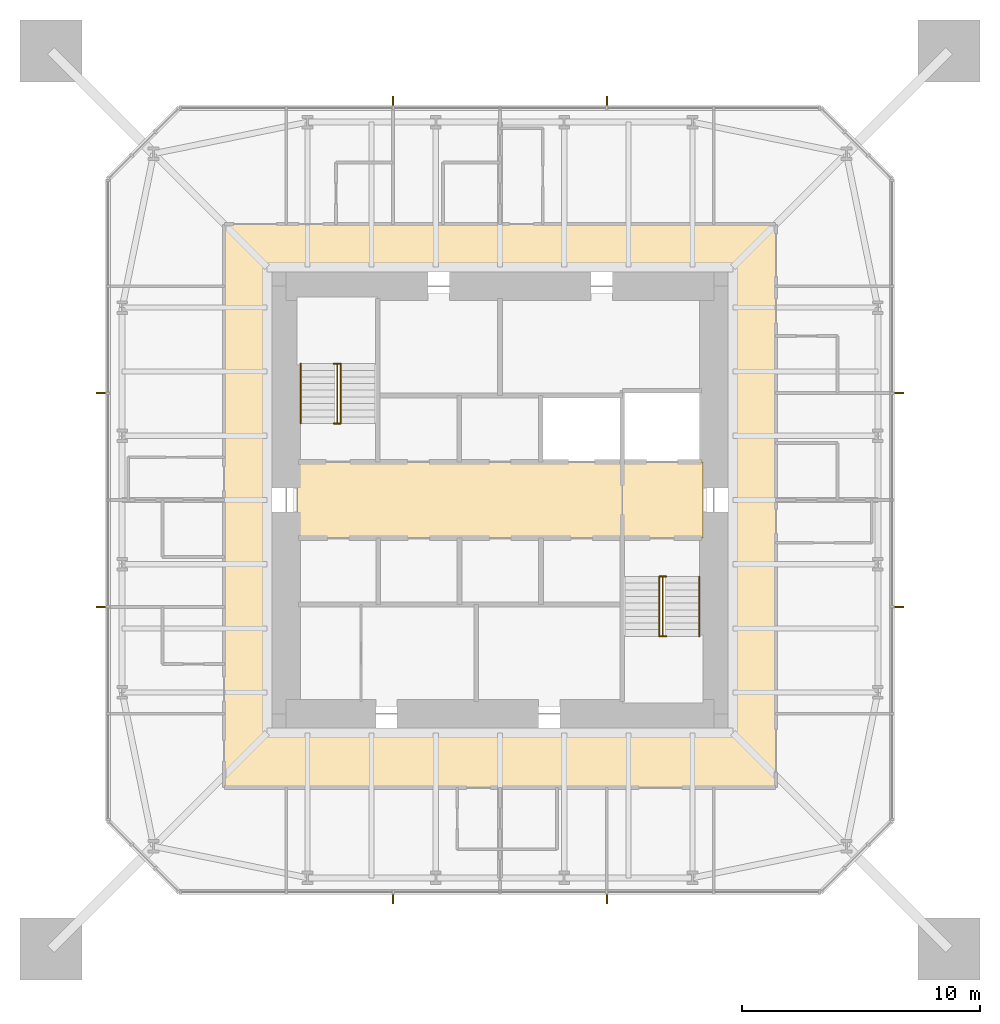
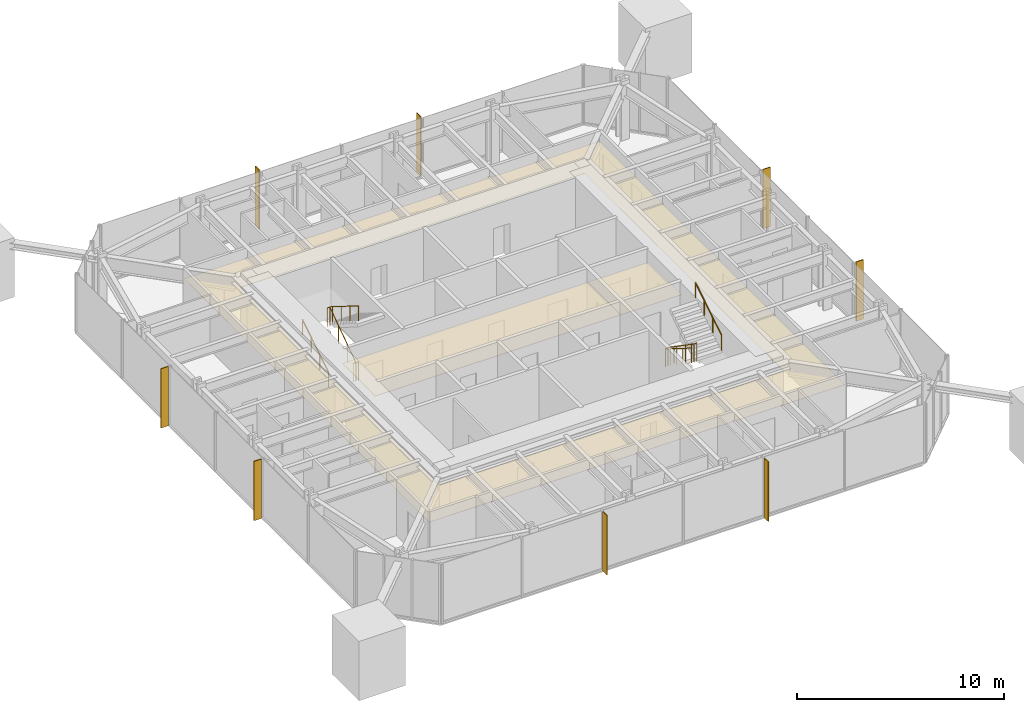
# One storey, part 9 of 9: 8 shading devices, 6 railings, 3 coverings.
"""IFC4 building model written with IfcOpenShell, lengths in metres."""

from ifc_helpers import new_model, si_unit, direction, frame, origin, origin_2d, place, context, subcontext, project, spatial, polyline, rectangle, circle, outline, extrude, material, layer, layer_set, constituent, constituent_set, type_object, element, save


model = new_model("IFC4")

# Units and contexts
model_context = context("Model", 3, precision=1e-05, world=origin(), true_north=direction((0.0, 1.0)))
body_context = subcontext(model_context, "Body", "Model", "MODEL_VIEW")
ifc_project = project(units=[si_unit("LENGTHUNIT", "METRE"), si_unit("AREAUNIT", "SQUARE_METRE"), si_unit("VOLUMEUNIT", "CUBIC_METRE"), si_unit("PLANEANGLEUNIT", "RADIAN"), si_unit("MASSUNIT", "GRAM", prefix="KILO")], contexts=[model_context])

# Site, building, storey
site_placement = place(None, origin())
site = spatial("IfcSite", under=ifc_project, at=site_placement, CompositionType="ELEMENT")
building_placement = place(site_placement, origin())
building = spatial("IfcBuilding", under=site, at=building_placement, Name="Iwan Alto Co-Living Towers", CompositionType="ELEMENT")
storey_placement = place(building_placement, frame((0.0, 0.0, 232.5)))
storey = spatial("IfcBuildingStorey", under=building, at=storey_placement, Name="L63", CompositionType="ELEMENT", Elevation=232.5)

# Coverings
ifc_material_1 = material(Name="Mineral fibre acoustic tiles on steel grid", Category="steel")
ifc_layer_1 = layer(ifc_material_1, 0.02001953125)
ifc_layer_set_1 = layer_set([ifc_layer_1], Name="ACOUSTIC TILE CEILING 20")
covering_type_1 = type_object("IfcCoveringType", Name="ACOUSTIC TILE CEILING 20", PredefinedType="CEILING", material=ifc_layer_set_1)
covering_1_placement = place(storey_placement, frame((0.0, 0.0, 2.60009765625)))
element("IfcCovering", 1, at=covering_1_placement, inside=storey, type_object=covering_type_1, Name="Ceiling Lift lobby L63", PredefinedType="CEILING", context=body_context, shape_type="SweptSolid", body=[
    extrude(outline(polyline([(-8.550048828125, -1.60009765625), (-8.550048828125, 1.60009765625), (5.14990234375, 1.60009765625), (5.14990234375, -1.60009765625), (-8.550048828125, -1.60009765625)])), origin(), (0.0, 0.0, 1.0), 0.02001953125),
])
covering_2_placement = place(storey_placement, frame((0.0, 0.0, 2.60009765625)))
element("IfcCovering", 2, at=covering_2_placement, inside=storey, type_object=covering_type_1, Name="Ceiling Firefighting lobby L63", PredefinedType="CEILING", context=body_context, shape_type="SweptSolid", body=[
    extrude(outline(polyline([(5.14990234375, -1.60009765625), (5.14990234375, 1.60009765625), (8.550048828125, 1.60009765625), (8.550048828125, -1.60009765625), (5.14990234375, -1.60009765625)])), origin(), (0.0, 0.0, 1.0), 0.02001953125),
])

# Shading devices
ifc_material_2 = material(Name="Aluminium 6063-T6 bronze anodised", Category="aluminium")
ifc_layer_2 = layer(ifc_material_2, 0.050048828125)
ifc_layer_set_2 = layer_set([ifc_layer_2], Name="BRONZE FIN 50X400")
shading_device_type = type_object("IfcShadingDeviceType", Name="BRONZE FIN 50X400", PredefinedType="USERDEFINED", material=ifc_layer_set_2)
for number, where, z_axis, x_axis, name in (
    (3, (-4.5, -16.800048828125, 0.0), (0.0, 0.0, 1.0), (1.0, 0.0, 0.0), "Bronze fin L63"),
    (4, (4.5, -16.800048828125, 0.0), (0.0, 0.0, 1.0), (1.0, 0.0, 0.0), "Bronze fin L63"),
    (5, (16.800048828125, -4.5, 0.0), (0.0, 0.0, 1.0), (0.0, 1.0, 0.0), "Bronze fin L63"),
    (6, (16.800048828125, 4.5, 0.0), (0.0, 0.0, 1.0), (0.0, 1.0, 0.0), "Bronze fin L63"),
    (7, (4.5, 16.800048828125, 0.0), (0.0, 0.0, 1.0), (-1.0, 0.0, 0.0), "Bronze fin L63"),
    (8, (-4.5, 16.800048828125, 0.0), (0.0, 0.0, 1.0), (-1.0, 0.0, 0.0), "Bronze fin L63"),
    (9, (-16.800048828125, 4.5, 0.0), (0.0, 0.0, 1.0), (0.0, -1.0, 0.0), "Bronze fin L63"),
    (10, (-16.800048828125, -4.5, 0.0), (0.0, 0.0, 1.0), (0.0, -1.0, 0.0), "Bronze fin L63"),
):
    element("IfcShadingDevice", number, at=place(storey_placement, frame(where, z_axis=z_axis, x_axis=x_axis)), inside=storey, type_object=shading_device_type, Name=name, ObjectType="LOUVER", PredefinedType="USERDEFINED", context=body_context, shape_type="SweptSolid", body=[
        extrude(rectangle(XDim=0.050048828125, YDim=0.39990234375, at=origin_2d()), origin(), (0.0, 0.0, 1.0), 3.5),
    ])

# Railings
ifc_material_3 = material(Name="Steel ASTM A500 Gr C", Category="steel")
ifc_constituent_1 = constituent(ifc_material_3, Name="Rails and posts", Category="Framing")
ifc_material_4 = material(Name="Steel ASTM A36", Category="steel")
ifc_constituent_2 = constituent(ifc_material_4, Name="Bar infill", Category="Infill")
ifc_constituent_set = constituent_set(constituents=[ifc_constituent_1, ifc_constituent_2], Name="STAIR GUARD 1100")
railing_type_1 = type_object("IfcRailingType", Name="STAIR GUARD 1100", PredefinedType="GUARDRAIL", material=ifc_constituent_set)
railing_1_placement = place(storey_placement, frame((-6.85009765625, 3.219970703125, 0.0)))
element("IfcRailing", 11, at=railing_1_placement, inside=storey, type_object=railing_type_1, Name="Stair T1-S1 well guard L63", PredefinedType="GUARDRAIL", context=body_context, shape_type="SweptSolid", body=[
    extrude(circle(Radius=0.02392578125, at=origin_2d()), frame((0.0, 0.0, 1.076171875), z_axis=(0.0, 0.821372036852, 0.570392826987), x_axis=(-1.0, 0.0, 0.0)), (0.0, 0.0, 1.0), 3.068115234375),
    extrude(circle(Radius=0.02392578125, at=origin_2d()), frame((-0.14990234375, 0.0, 1.076171875), z_axis=(1.0, 0.0, 0.0), x_axis=(0.0, 1.0, 0.0)), (0.0, 0.0, 1.0), 0.300048828125),
    extrude(circle(Radius=0.02392578125, at=origin_2d()), frame((-0.14990234375, 2.52001953125, 2.826171875), z_axis=(1.0, 0.0, 0.0), x_axis=(0.0, 1.0, 0.0)), (0.0, 0.0, 1.0), 0.300048828125),
    extrude(circle(Radius=0.02099609375, at=origin_2d()), origin(), (0.0, 0.0, 1.0), 1.052001953125),
    extrude(circle(Radius=0.02099609375, at=origin_2d()), frame((0.0, 0.840087890625, 0.583251953125)), (0.0, 0.0, 1.0), 1.052001953125),
    extrude(circle(Radius=0.02099609375, at=origin_2d()), frame((0.0, 1.679931640625, 1.166748046875)), (0.0, 0.0, 1.0), 1.052001953125),
    extrude(circle(Radius=0.02099609375, at=origin_2d()), frame((0.0, 2.52001953125, 1.75)), (0.0, 0.0, 1.0), 1.052001953125),
    extrude(circle(Radius=0.02099609375, at=origin_2d()), frame((-0.14990234375, 0.0, 0.0)), (0.0, 0.0, 1.0), 1.052001953125),
    extrude(circle(Radius=0.02099609375, at=origin_2d()), frame((0.150146484375, 0.0, 0.0)), (0.0, 0.0, 1.0), 1.052001953125),
    extrude(circle(Radius=0.02099609375, at=origin_2d()), frame((-0.14990234375, 2.52001953125, 1.75)), (0.0, 0.0, 1.0), 1.052001953125),
    extrude(circle(Radius=0.02099609375, at=origin_2d()), frame((0.150146484375, 2.52001953125, 1.75)), (0.0, 0.0, 1.0), 1.052001953125),
])
railing_2_placement = place(storey_placement, frame((6.85009765625, -3.219970703125, 0.0)))
element("IfcRailing", 12, at=railing_2_placement, inside=storey, type_object=railing_type_1, Name="Stair T1-S2 well guard L63", PredefinedType="GUARDRAIL", context=body_context, shape_type="SweptSolid", body=[
    extrude(circle(Radius=0.02392578125, at=origin_2d()), frame((0.0, 0.0, 1.076171875), z_axis=(0.0, -0.821372036852, 0.570392826987), x_axis=(1.0, 0.0, 0.0)), (0.0, 0.0, 1.0), 3.068115234375),
    extrude(circle(Radius=0.02392578125, at=origin_2d()), frame((-0.150146484375, 0.0, 1.076171875), z_axis=(1.0, 0.0, 0.0), x_axis=(0.0, 1.0, 0.0)), (0.0, 0.0, 1.0), 0.300048828125),
    extrude(circle(Radius=0.02392578125, at=origin_2d()), frame((-0.150146484375, -2.52001953125, 2.826171875), z_axis=(1.0, 0.0, 0.0), x_axis=(0.0, 1.0, 0.0)), (0.0, 0.0, 1.0), 0.300048828125),
    extrude(circle(Radius=0.02099609375, at=origin_2d()), origin(), (0.0, 0.0, 1.0), 1.052001953125),
    extrude(circle(Radius=0.02099609375, at=origin_2d()), frame((0.0, -0.840087890625, 0.583251953125)), (0.0, 0.0, 1.0), 1.052001953125),
    extrude(circle(Radius=0.02099609375, at=origin_2d()), frame((0.0, -1.679931640625, 1.166748046875)), (0.0, 0.0, 1.0), 1.052001953125),
    extrude(circle(Radius=0.02099609375, at=origin_2d()), frame((0.0, -2.52001953125, 1.75)), (0.0, 0.0, 1.0), 1.052001953125),
    extrude(circle(Radius=0.02099609375, at=origin_2d()), frame((-0.150146484375, 0.0, 0.0)), (0.0, 0.0, 1.0), 1.052001953125),
    extrude(circle(Radius=0.02099609375, at=origin_2d()), frame((0.14990234375, 0.0, 0.0)), (0.0, 0.0, 1.0), 1.052001953125),
    extrude(circle(Radius=0.02099609375, at=origin_2d()), frame((-0.150146484375, -2.52001953125, 1.75)), (0.0, 0.0, 1.0), 1.052001953125),
    extrude(circle(Radius=0.02099609375, at=origin_2d()), frame((0.14990234375, -2.52001953125, 1.75)), (0.0, 0.0, 1.0), 1.052001953125),
])
ifc_material_5 = material(Name="Steel ASTM A500 Gr C", Category="steel")
railing_type_2 = type_object("IfcRailingType", Name="STAIR HANDRAIL 900", PredefinedType="HANDRAIL", material=ifc_material_5)
railing_3_placement = place(storey_placement, frame((-8.3798828125, 3.219970703125, 0.175048828125)))
element("IfcRailing", 13, at=railing_3_placement, inside=storey, type_object=railing_type_2, Name="Stair T1-S1 handrail 1 L63", PredefinedType="HANDRAIL", context=body_context, shape_type="SweptSolid", body=[
    extrude(circle(Radius=0.02392578125, at=origin_2d()), frame((0.0, 0.0, 0.8759765625), z_axis=(0.0, 0.848007534815, 0.529984170421), x_axis=(-1.0, 0.0, 0.0)), (0.0, 0.0, 1.0), 2.9716796875),
    extrude(circle(Radius=0.02099609375, at=origin_2d()), origin(), (0.0, 0.0, 1.0), 0.851806640625),
    extrude(circle(Radius=0.02099609375, at=origin_2d()), frame((0.0, 0.840087890625, 0.52490234375)), (0.0, 0.0, 1.0), 0.851806640625),
    extrude(circle(Radius=0.02099609375, at=origin_2d()), frame((0.0, 1.679931640625, 1.050048828125)), (0.0, 0.0, 1.0), 0.851806640625),
    extrude(circle(Radius=0.02099609375, at=origin_2d()), frame((0.0, 2.52001953125, 1.574951171875)), (0.0, 0.0, 1.0), 0.851806640625),
])
for number, where, name in (
    (14, (-6.699951171875, 5.739990234375, 1.925048828125), "Stair T1-S1 handrail 2 L63"),
    (15, (6.699951171875, -3.219970703125, 0.175048828125), "Stair T1-S2 handrail 1 L63"),
):
    element("IfcRailing", number, at=place(storey_placement, frame(where)), inside=storey, type_object=railing_type_2, Name=name, PredefinedType="HANDRAIL", context=body_context, shape_type="SweptSolid", body=[
        extrude(circle(Radius=0.02392578125, at=origin_2d()), frame((0.0, 0.0, 0.8759765625), z_axis=(0.0, -0.848007534815, 0.529984170421), x_axis=(1.0, 0.0, 0.0)), (0.0, 0.0, 1.0), 2.9716796875),
        extrude(circle(Radius=0.02099609375, at=origin_2d()), origin(), (0.0, 0.0, 1.0), 0.851806640625),
        extrude(circle(Radius=0.02099609375, at=origin_2d()), frame((0.0, -0.840087890625, 0.52490234375)), (0.0, 0.0, 1.0), 0.851806640625),
        extrude(circle(Radius=0.02099609375, at=origin_2d()), frame((0.0, -1.679931640625, 1.050048828125)), (0.0, 0.0, 1.0), 0.851806640625),
        extrude(circle(Radius=0.02099609375, at=origin_2d()), frame((0.0, -2.52001953125, 1.574951171875)), (0.0, 0.0, 1.0), 0.851806640625),
    ])
railing_4_placement = place(storey_placement, frame((8.3798828125, -5.739990234375, 1.925048828125)))
element("IfcRailing", 16, at=railing_4_placement, inside=storey, type_object=railing_type_2, Name="Stair T1-S2 handrail 2 L63", PredefinedType="HANDRAIL", context=body_context, shape_type="SweptSolid", body=[
    extrude(circle(Radius=0.02392578125, at=origin_2d()), frame((0.0, 0.0, 0.8759765625), z_axis=(0.0, 0.848007534815, 0.529984170421), x_axis=(-1.0, 0.0, 0.0)), (0.0, 0.0, 1.0), 2.9716796875),
    extrude(circle(Radius=0.02099609375, at=origin_2d()), origin(), (0.0, 0.0, 1.0), 0.851806640625),
    extrude(circle(Radius=0.02099609375, at=origin_2d()), frame((0.0, 0.840087890625, 0.52490234375)), (0.0, 0.0, 1.0), 0.851806640625),
    extrude(circle(Radius=0.02099609375, at=origin_2d()), frame((0.0, 1.679931640625, 1.050048828125)), (0.0, 0.0, 1.0), 0.851806640625),
    extrude(circle(Radius=0.02099609375, at=origin_2d()), frame((0.0, 2.52001953125, 1.574951171875)), (0.0, 0.0, 1.0), 0.851806640625),
])

# Covering
ifc_material_6 = material(Name="Gypsum plasterboard on steel grid", Category="steel")
ifc_layer_3 = layer(ifc_material_6, 0.014892578125)
ifc_layer_set_3 = layer_set([ifc_layer_3], Name="SUSPENDED PLASTERBOARD CEILING 15")
covering_type_2 = type_object("IfcCoveringType", Name="SUSPENDED PLASTERBOARD CEILING 15", PredefinedType="CEILING", material=ifc_layer_set_3)
covering_3_placement = place(storey_placement, frame((0.0, 0.0, 2.60009765625)))
element("IfcCovering", 17, at=covering_3_placement, inside=storey, type_object=covering_type_2, Name="Ceiling Corridor L63", PredefinedType="CEILING", context=body_context, shape_type="SweptSolid", body=[
    extrude(outline(polyline([(-11.60009765625, 11.60009765625), (11.60009765625, 11.60009765625), (11.60009765625, -12.10009765625), (-11.60009765625, -12.10009765625), (-11.60009765625, 11.60009765625)]), holes=[polyline([(-9.60009765625, 9.60009765625), (-9.60009765625, -9.60009765625), (9.60009765625, -9.60009765625), (9.60009765625, 9.60009765625), (-9.60009765625, 9.60009765625)])]), origin(), (0.0, 0.0, 1.0), 0.014892578125),
])

save(model, "model.ifc")
